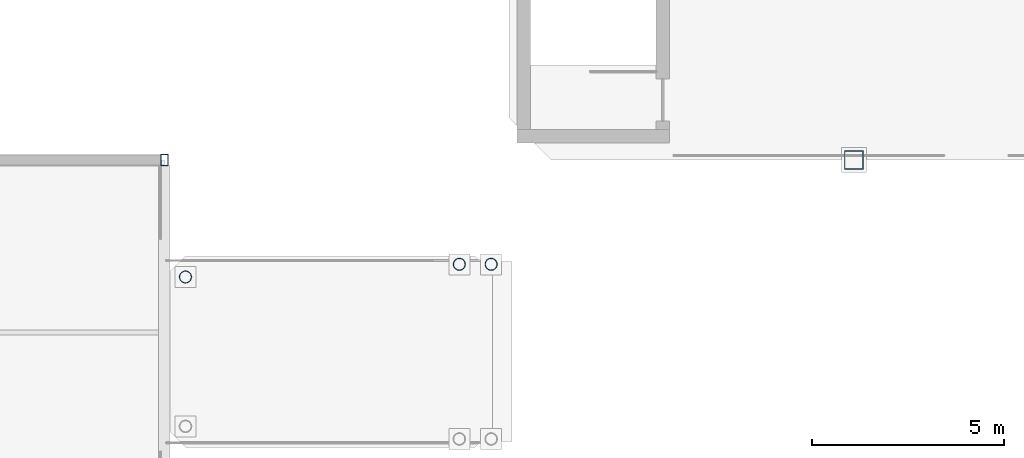
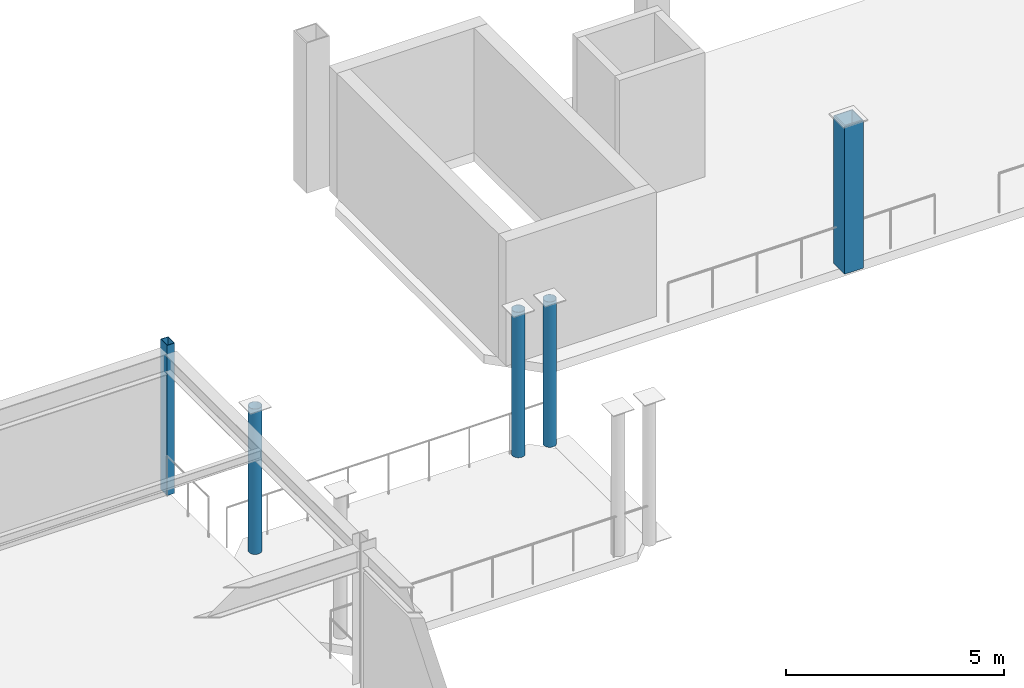
# One storey, part 5 of 105: 5 columns.
"""IFC4 building model written with IfcOpenShell, lengths in metres."""

import ifcopenshell
import ifcopenshell.guid

model = None  # the IFC model being written
_history = None  # IfcOwnerHistory: only IFC2X3 demands one
_inside = {}  # id of a spatial element -> (the spatial element, [elements in it])
_under = {}  # id of a project, library or spatial element -> (it, [spatial elements below it])
_declared = {}  # id of a project -> (the project, [libraries it declares])
_typed = {}  # id of a type object -> (the type object, [elements of that type])
_made_of = {}  # id of a material, layer set ... -> (it, [elements and type objects made of it])


def new_model(schema):
    """Start an empty IFC model of exactly this schema.

    Asked for "IFC4X3", IfcOpenShell would pick the latest addendum, in which some entities
    have other attributes; the version numbers below select the first issue.
    IFC2X3 requires an IfcOwnerHistory on every rooted entity: one is made here for all.
    """
    global model, _history
    if schema == "IFC4X3":
        model = ifcopenshell.file(schema_version=(4, 3, 0, 0))
    else:
        model = ifcopenshell.file(schema=schema)
    _inside.clear()
    _under.clear()
    _declared.clear()
    _typed.clear()
    _made_of.clear()
    _history = None
    if model.schema == "IFC2X3":
        org = make("IfcOrganization", Name="unknown")
        user = make(
            "IfcPersonAndOrganization",
            ThePerson=make("IfcPerson", FamilyName="unknown"),
            TheOrganization=org,
        )
        app = make(
            "IfcApplication",
            ApplicationDeveloper=org,
            Version="unknown",
            ApplicationFullName="unknown",
            ApplicationIdentifier="unknown",
        )
        _history = make(
            "IfcOwnerHistory",
            OwningUser=user,
            OwningApplication=app,
            ChangeAction="ADDED",
            CreationDate=0,
        )
    return model


def make(cls, **values):
    """One entity of the class cls with the attributes given. An attribute that is None is left unset."""
    return model.create_entity(
        cls, **{name: value for name, value in values.items() if value is not None}
    )


def rooted(cls, **values):
    """An entity with a GlobalId (a new one), such as an element, a storey or a relation."""
    return make(cls, GlobalId=ifcopenshell.guid.new(), OwnerHistory=_history, **values)


def si_unit(unit_type, name, prefix=None):
    """IfcSIUnit, for example si_unit("LENGTHUNIT", "METRE", prefix="MILLI")."""
    return make("IfcSIUnit", UnitType=unit_type, Prefix=prefix, Name=name)


def assignment(units):
    """IfcUnitAssignment: the units of a project."""
    return None if units is None else make("IfcUnitAssignment", Units=units)


def point(xyz):
    """IfcCartesianPoint."""
    return None if xyz is None else make("IfcCartesianPoint", Coordinates=xyz)


def direction(xyz):
    """IfcDirection."""
    return None if xyz is None else make("IfcDirection", DirectionRatios=xyz)


def frame(location, z_axis=None, x_axis=None):
    """IfcAxis2Placement3D, a coordinate frame: its origin and axes. An axis left out is left unset."""
    return make(
        "IfcAxis2Placement3D",
        Location=point(location),
        Axis=direction(z_axis),
        RefDirection=direction(x_axis),
    )


def frame_2d(location, x_axis=None):
    """IfcAxis2Placement2D, a coordinate frame in the plane: its origin and x axis."""
    return make(
        "IfcAxis2Placement2D", Location=point(location), RefDirection=direction(x_axis)
    )


def origin():
    """The frame at (0, 0, 0) with its axes left unset."""
    return frame((0.0, 0.0, 0.0))


def origin_2d():
    """The frame at (0, 0) in the plane with its x axis left unset."""
    return frame_2d((0.0, 0.0))


def place(relative_to, where):
    """IfcLocalPlacement: puts the frame where relative to a parent placement (None: the world)."""
    return make(
        "IfcLocalPlacement", PlacementRelTo=relative_to, RelativePlacement=where
    )


def context(
    kind, dimensions, precision=None, world=None, true_north=None, identifier=None
):
    """IfcGeometricRepresentationContext, for example the 3D "Model" context."""
    return make(
        "IfcGeometricRepresentationContext",
        ContextIdentifier=identifier,
        ContextType=kind,
        CoordinateSpaceDimension=dimensions,
        Precision=precision,
        WorldCoordinateSystem=world,
        TrueNorth=true_north,
    )


def subcontext(parent, identifier, kind, view, scale=None):
    """IfcGeometricRepresentationSubContext, for example "Body" below "Model"."""
    return make(
        "IfcGeometricRepresentationSubContext",
        ContextIdentifier=identifier,
        ContextType=kind,
        ParentContext=parent,
        TargetScale=scale,
        TargetView=view,
    )


def project(units=None, contexts=None):
    """IfcProject with its units and contexts."""
    return rooted(
        "IfcProject",
        Name="project",
        RepresentationContexts=contexts,
        UnitsInContext=assignment(units),
    )


def spatial(cls, under=None, at=None, **own):
    """A site, building, storey or space (cls), placed at a placement, below another one or the project."""
    s = rooted(cls, ObjectPlacement=at, **own)
    if under is not None:
        _under.setdefault(under.id(), (under, []))[1].append(s)
    return s


def profile(cls, at=None, kind="AREA", **sizes):
    """A parametric profile (cls). Its sizes go by their IFC names, for example OverallWidth=200.0."""
    return make(cls, ProfileType=kind, Position=at, **sizes)


def hollow_rectangle(**sizes):
    """IfcRectangleHollowProfileDef."""
    return profile("IfcRectangleHollowProfileDef", **sizes)


def hollow_circle(**sizes):
    """IfcCircleHollowProfileDef."""
    return profile("IfcCircleHollowProfileDef", **sizes)


def extrude(swept, where, along, depth):
    """IfcExtrudedAreaSolid: the profile swept, set in the frame where, extruded along a direction by depth."""
    return make(
        "IfcExtrudedAreaSolid",
        SweptArea=swept,
        Position=where,
        ExtrudedDirection=direction(along),
        Depth=depth,
    )


def shape(context_of_items, identifier, shape_type, items):
    """IfcShapeRepresentation: the items that make up one representation, for example the "Body"."""
    return make(
        "IfcShapeRepresentation",
        ContextOfItems=context_of_items,
        RepresentationIdentifier=identifier,
        RepresentationType=shape_type,
        Items=items,
    )


def material(Name=None, Category=None):
    """IfcMaterial."""
    return make("IfcMaterial", Name=Name, Category=Category)


def material_profile(
    of_material, cross_section, Name=None, Category=None, Priority=None
):
    """IfcMaterialProfile: a cross section and its material."""
    return make(
        "IfcMaterialProfile",
        Name=Name,
        Material=of_material,
        Profile=cross_section,
        Priority=Priority,
        Category=Category,
    )


def profile_set(profiles, Name=None, composite=None):
    """IfcMaterialProfileSet."""
    return make(
        "IfcMaterialProfileSet",
        Name=Name,
        MaterialProfiles=profiles,
        CompositeProfile=composite,
    )


def made_of(thing, what):
    """Note that an element or type object is made of a material, layer set ...; save() writes the relation."""
    if what is not None:
        _made_of.setdefault(what.id(), (what, []))[1].append(thing)
    return thing


def type_object(cls, material=None, **own):
    """A type object (cls), such as IfcWallType, which elements share."""
    return made_of(rooted(cls, **own), material)


def element(
    cls,
    number,
    at=None,
    inside=None,
    cuts=None,
    type_object=None,
    material=None,
    context=None,
    identifier="Body",
    shape_type=None,
    held_by="IfcProductDefinitionShape",
    body=None,
    shapes=None,
    **own,
):
    """One element of the class cls, such as IfcWall. Its Tag is "e" and its number.

    at: its placement. inside: the storey or other place that contains it. cuts: it is an
    opening in that element (IfcRelVoidsElement). A single representation is given by context,
    identifier, shape_type and body (its items); several are given by shapes. held_by: the class
    of the entity that holds the representations. save() writes the other relations.
    """
    e = rooted(cls, Tag="e%d" % number, ObjectPlacement=at, **own)
    if body is not None:
        shapes = [shape(context, identifier, shape_type, body)]
    if shapes is not None:
        e.Representation = make(held_by, Representations=shapes)
    if inside is not None:
        _inside.setdefault(inside.id(), (inside, []))[1].append(e)
    if cuts is not None:
        rooted(
            "IfcRelVoidsElement", RelatingBuildingElement=cuts, RelatedOpeningElement=e
        )
    if type_object is not None:
        _typed.setdefault(type_object.id(), (type_object, []))[1].append(e)
    return made_of(e, material)


def aggregate(whole, parts):
    """IfcRelAggregates: a whole, such as a stair, and the parts it consists of."""
    return rooted("IfcRelAggregates", RelatingObject=whole, RelatedObjects=parts)


def save(model, path):
    """Write the relations noted so far, then the file.

    IfcRelAggregates (storeys below a building ...), IfcRelContainedInSpatialStructure (elements
    in a storey), IfcRelDefinesByType, IfcRelAssociatesMaterial and IfcRelDeclares: one each for
    every whole, place, type object, material and project.
    """
    for whole, parts in _under.values():
        aggregate(whole, parts)
    for where, things in _inside.values():
        rooted(
            "IfcRelContainedInSpatialStructure",
            RelatedElements=things,
            RelatingStructure=where,
        )
    for kind, things in _typed.values():
        rooted("IfcRelDefinesByType", RelatedObjects=things, RelatingType=kind)
    for what, things in _made_of.values():
        rooted("IfcRelAssociatesMaterial", RelatedObjects=things, RelatingMaterial=what)
    for by, libraries in _declared.values():
        rooted("IfcRelDeclares", RelatingContext=by, RelatedDefinitions=libraries)
    model.write(path)


model = new_model("IFC4")

# Units and contexts
model_context = context("Model", 3, precision=1e-05, world=origin(), true_north=direction((0.0, 1.0)))
body_context = subcontext(model_context, "Body", "Model", "MODEL_VIEW")
ifc_project = project(units=[si_unit("LENGTHUNIT", "METRE"), si_unit("AREAUNIT", "SQUARE_METRE"), si_unit("VOLUMEUNIT", "CUBIC_METRE"), si_unit("PLANEANGLEUNIT", "RADIAN"), si_unit("MASSUNIT", "GRAM", prefix="KILO")], contexts=[model_context])

# Site, building, storey
site_placement = place(None, origin())
site = spatial("IfcSite", under=ifc_project, at=site_placement, CompositionType="ELEMENT")
building_placement = place(site_placement, origin())
building = spatial("IfcBuilding", under=site, at=building_placement, Name="Suzunagisa Mobility Hub", CompositionType="ELEMENT")
storey_placement = place(building_placement, frame((0.0, 0.0, 5.10009765625)))
storey = spatial("IfcBuildingStorey", under=building, at=storey_placement, Name="L01", CompositionType="ELEMENT", Elevation=5.10009765625)

# Columns
ifc_material = material(Name="Steel SN490B", Category="steel")
ifc_material_profile_1 = material_profile(ifc_material, hollow_circle(Radius=0.1591796875, WallThickness=0.01025390625, at=origin_2d()), Name="CHS-318.5x10.3")
ifc_profile_set_1 = profile_set([ifc_material_profile_1], Name="Steel SN490B")
column_type_1 = type_object("IfcColumnType", Name="Steel Column CL-09 CHS-318.5x10.3", PredefinedType="COLUMN", material=ifc_profile_set_1)
for number, where, z_axis, x_axis, name in (
    (1, (36.550048828125, 58.949951171875, 0.0), (0.0, 0.0, 1.0), (1.0, 0.0, 0.0), "L01 Column 91"),
    (2, (43.699951171875, 59.280029296875, 0.0), (0.0, 0.0, 1.0), (1.0, 0.0, 0.0), "L01 Column 104"),
    (3, (44.530029296875, 59.280029296875, 0.0), (0.0, 0.0, 1.0), (1.0, 0.0, 0.0), "L01 Column 110"),
):
    element("IfcColumn", number, at=place(storey_placement, frame(where, z_axis=z_axis, x_axis=x_axis)), inside=storey, type_object=column_type_1, Name=name, PredefinedType="COLUMN", context=body_context, shape_type="SweptSolid", body=[
        extrude(hollow_circle(Radius=0.1591796875, WallThickness=0.01025390625, at=origin_2d()), origin(), (0.0, 0.0, 1.0), 4.059814453125),
    ])
ifc_material_profile_2 = material_profile(ifc_material, hollow_rectangle(XDim=0.5, YDim=0.5, WallThickness=0.02490234375, at=origin_2d()), Name="BCR-500x500x25")
ifc_profile_set_2 = profile_set([ifc_material_profile_2], Name="Steel SN490B")
column_type_2 = type_object("IfcColumnType", Name="Steel Column CL-11 BCR-500x500x25", PredefinedType="COLUMN", material=ifc_profile_set_2)
column_1_placement = place(storey_placement, frame((54.0, 62.0, 0.0), z_axis=(0.0, 0.0, 1.0), x_axis=(1.0, 0.0, 0.0)))
element("IfcColumn", 4, at=column_1_placement, inside=storey, type_object=column_type_2, Name="L01 Column 127", PredefinedType="COLUMN", context=body_context, shape_type="SweptSolid", body=[
    extrude(hollow_rectangle(XDim=0.5, YDim=0.5, WallThickness=0.02490234375, at=origin_2d()), origin(), (0.0, 0.0, 1.0), 4.139892578125),
])
ifc_material_profile_3 = material_profile(ifc_material, hollow_rectangle(XDim=0.199951171875, YDim=0.300048828125, WallThickness=0.011962890625, at=origin_2d()), Name="RHS-300x200x12")
ifc_profile_set_3 = profile_set([ifc_material_profile_3], Name="Steel SN490B")
column_type_3 = type_object("IfcColumnType", Name="Steel Column CL-15 RHS-300x200x12", PredefinedType="COLUMN", material=ifc_profile_set_3)
column_2_placement = place(storey_placement, frame((36.0, 62.0, 0.0), z_axis=(0.0, 0.0, 1.0), x_axis=(1.0, 0.0, 0.0)))
element("IfcColumn", 5, at=column_2_placement, inside=storey, type_object=column_type_3, Name="L01 Column 84", PredefinedType="COLUMN", context=body_context, shape_type="SweptSolid", body=[
    extrude(hollow_rectangle(XDim=0.199951171875, YDim=0.300048828125, WallThickness=0.011962890625, at=origin_2d()), origin(), (0.0, 0.0, 1.0), 4.199951171875),
])

save(model, "model.ifc")
